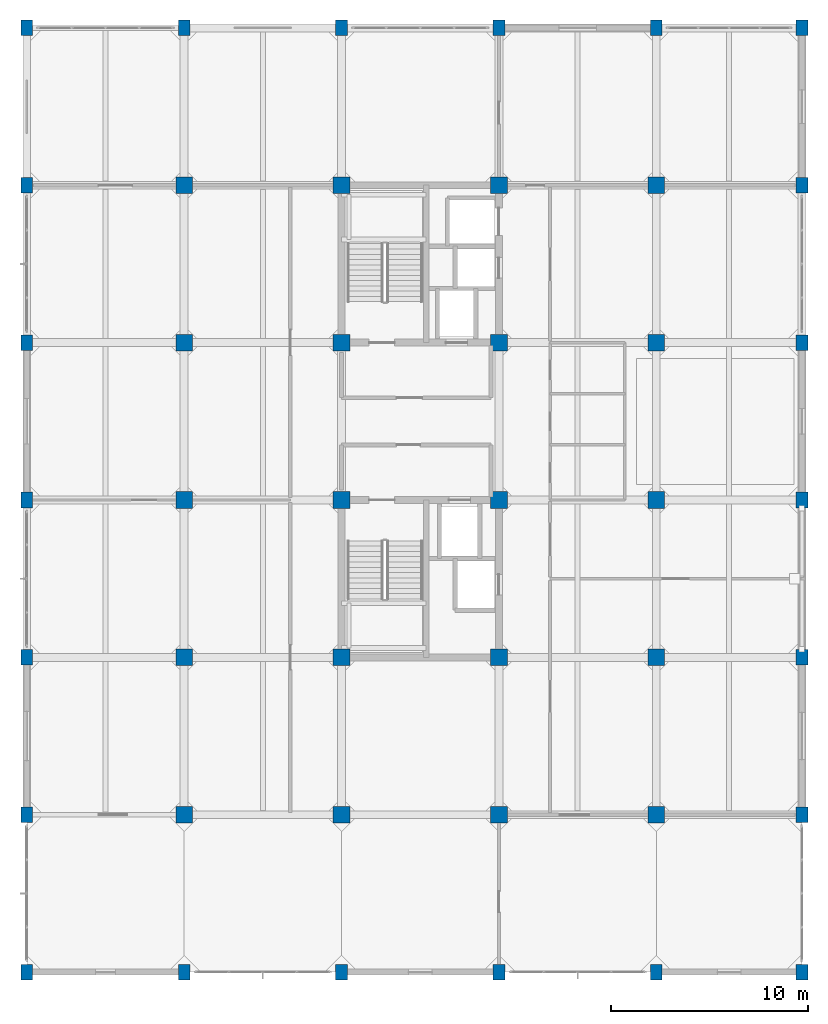
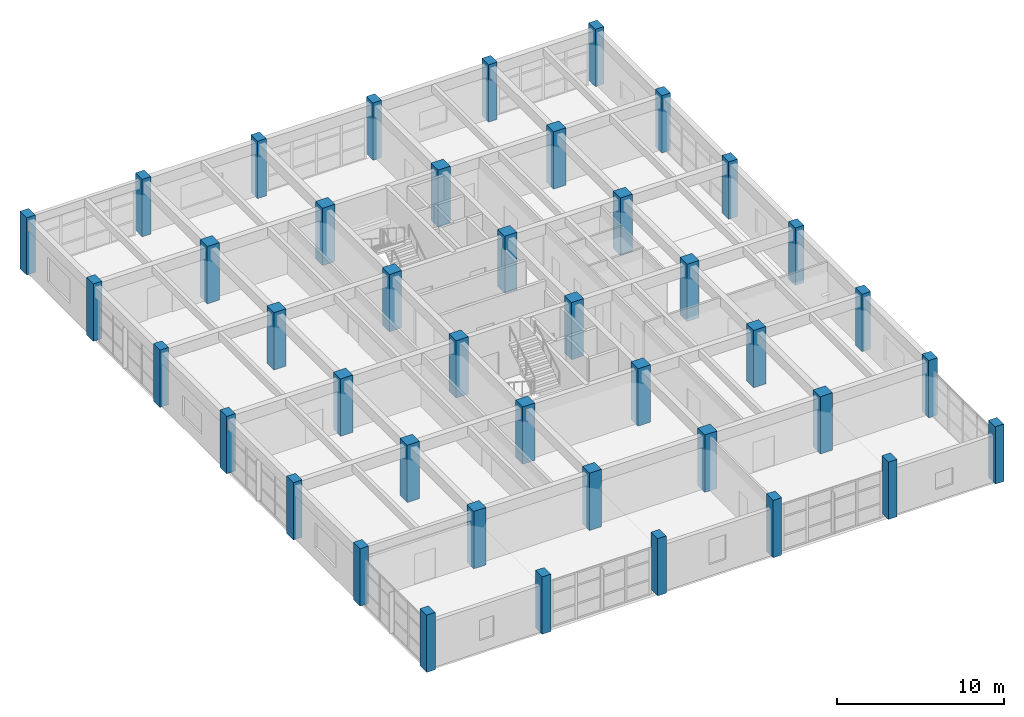
# One storey, part 1 of 27: 42 columns.
"""IFC4 building model written with IfcOpenShell, lengths in metres."""

from ifc_helpers import new_model, si_unit, direction, frame, origin, origin_2d, place, context, subcontext, project, spatial, rectangle, extrude, material, material_profile, profile_set, type_object, element, save


model = new_model("IFC4")

# Units and contexts
model_context = context("Model", 3, precision=1e-05, world=origin(), true_north=direction((0.0, 1.0)))
body_context = subcontext(model_context, "Body", "Model", "MODEL_VIEW")
ifc_project = project(units=[si_unit("LENGTHUNIT", "METRE"), si_unit("AREAUNIT", "SQUARE_METRE"), si_unit("VOLUMEUNIT", "CUBIC_METRE"), si_unit("PLANEANGLEUNIT", "RADIAN"), si_unit("MASSUNIT", "GRAM", prefix="KILO")], contexts=[model_context])

# Site, building, storey
site_placement = place(None, origin())
site = spatial("IfcSite", under=ifc_project, at=site_placement, CompositionType="ELEMENT")
building_placement = place(site_placement, origin())
building = spatial("IfcBuilding", under=site, at=building_placement, Name="Canggui Botanical Conservatory", CompositionType="ELEMENT")
storey_placement = place(building_placement, frame((0.0, 0.0, 23.39990234375)))
storey = spatial("IfcBuildingStorey", under=building, at=storey_placement, Name="L06", CompositionType="ELEMENT", Elevation=23.39990234375)

# Columns
ifc_material = material(Name="Concrete C40", Category="concrete")
ifc_material_profile_1 = material_profile(ifc_material, rectangle(XDim=0.85009765625, YDim=0.85009765625, at=origin_2d()), Name="RC 850x850")
ifc_profile_set_1 = profile_set([ifc_material_profile_1], Name="Concrete C40")
column_type_1 = type_object("IfcColumnType", Name="COL-KZ06", PredefinedType="COLUMN", material=ifc_profile_set_1)
for number, where, z_axis, x_axis, name in (
    (1, (146.0, 34.0, 0.0), (0.0, 0.0, 1.0), (1.0, 0.0, 0.0), "Tower RC Column L06 (146,34)"),
    (2, (146.0, 42.0, 0.0), (0.0, 0.0, 1.0), (1.0, 0.0, 0.0), "Tower RC Column L06 (146,42)"),
    (3, (146.0, 50.0, 0.0), (0.0, 0.0, 1.0), (1.0, 0.0, 0.0), "Tower RC Column L06 (146,50)"),
    (4, (146.0, 58.0, 0.0), (0.0, 0.0, 1.0), (1.0, 0.0, 0.0), "Tower RC Column L06 (146,58)"),
    (5, (146.0, 66.0, 0.0), (0.0, 0.0, 1.0), (1.0, 0.0, 0.0), "Tower RC Column L06 (146,66)"),
    (6, (154.0, 34.0, 0.0), (0.0, 0.0, 1.0), (1.0, 0.0, 0.0), "Tower RC Column L06 (154,34)"),
    (7, (154.0, 42.0, 0.0), (0.0, 0.0, 1.0), (1.0, 0.0, 0.0), "Tower RC Column L06 (154,42)"),
    (8, (154.0, 50.0, 0.0), (0.0, 0.0, 1.0), (1.0, 0.0, 0.0), "Tower RC Column L06 (154,50)"),
    (9, (154.0, 58.0, 0.0), (0.0, 0.0, 1.0), (1.0, 0.0, 0.0), "Tower RC Column L06 (154,58)"),
    (10, (154.0, 66.0, 0.0), (0.0, 0.0, 1.0), (1.0, 0.0, 0.0), "Tower RC Column L06 (154,66)"),
    (11, (162.0, 34.0, 0.0), (0.0, 0.0, 1.0), (1.0, 0.0, 0.0), "Tower RC Column L06 (162,34)"),
    (12, (162.0, 42.0, 0.0), (0.0, 0.0, 1.0), (1.0, 0.0, 0.0), "Tower RC Column L06 (162,42)"),
    (13, (162.0, 50.0, 0.0), (0.0, 0.0, 1.0), (1.0, 0.0, 0.0), "Tower RC Column L06 (162,50)"),
    (14, (162.0, 58.0, 0.0), (0.0, 0.0, 1.0), (1.0, 0.0, 0.0), "Tower RC Column L06 (162,58)"),
    (15, (162.0, 66.0, 0.0), (0.0, 0.0, 1.0), (1.0, 0.0, 0.0), "Tower RC Column L06 (162,66)"),
    (16, (170.0, 34.0, 0.0), (0.0, 0.0, 1.0), (1.0, 0.0, 0.0), "Tower RC Column L06 (170,34)"),
    (17, (170.0, 42.0, 0.0), (0.0, 0.0, 1.0), (1.0, 0.0, 0.0), "Tower RC Column L06 (170,42)"),
    (18, (170.0, 50.0, 0.0), (0.0, 0.0, 1.0), (1.0, 0.0, 0.0), "Tower RC Column L06 (170,50)"),
    (19, (170.0, 58.0, 0.0), (0.0, 0.0, 1.0), (1.0, 0.0, 0.0), "Tower RC Column L06 (170,58)"),
    (20, (170.0, 66.0, 0.0), (0.0, 0.0, 1.0), (1.0, 0.0, 0.0), "Tower RC Column L06 (170,66)"),
):
    element("IfcColumn", number, at=place(storey_placement, frame(where, z_axis=z_axis, x_axis=x_axis)), inside=storey, type_object=column_type_1, Name=name, PredefinedType="COLUMN", context=body_context, shape_type="SweptSolid", body=[
        extrude(rectangle(XDim=0.85009765625, YDim=0.85009765625, at=origin_2d()), origin(), (0.0, 0.0, 1.0), 4.2001953125),
    ])
ifc_material_profile_2 = material_profile(ifc_material, rectangle(XDim=0.60009765625, YDim=0.800048828125, at=origin_2d()), Name="RC 600x800")
ifc_profile_set_2 = profile_set([ifc_material_profile_2], Name="Concrete C40")
column_type_2 = type_object("IfcColumnType", Name="COL-KZ16", PredefinedType="COLUMN", material=ifc_profile_set_2)
for number, where, z_axis, x_axis, name in (
    (21, (138.0, 26.0, 0.0), (0.0, 0.0, 1.0), (1.0, 0.0, 0.0), "Tower RC Column L06 (138,26)"),
    (22, (138.0, 34.0, 0.0), (0.0, 0.0, 1.0), (1.0, 0.0, 0.0), "Tower RC Column L06 (138,34)"),
    (23, (138.0, 42.0, 0.0), (0.0, 0.0, 1.0), (1.0, 0.0, 0.0), "Tower RC Column L06 (138,42)"),
    (24, (138.0, 50.0, 0.0), (0.0, 0.0, 1.0), (1.0, 0.0, 0.0), "Tower RC Column L06 (138,50)"),
    (25, (138.0, 58.0, 0.0), (0.0, 0.0, 1.0), (1.0, 0.0, 0.0), "Tower RC Column L06 (138,58)"),
    (26, (138.0, 66.0, 0.0), (0.0, 0.0, 1.0), (1.0, 0.0, 0.0), "Tower RC Column L06 (138,66)"),
    (27, (138.0, 74.0, 0.0), (0.0, 0.0, 1.0), (1.0, 0.0, 0.0), "Tower RC Column L06 (138,74)"),
    (28, (146.0, 26.0, 0.0), (0.0, 0.0, 1.0), (1.0, 0.0, 0.0), "Tower RC Column L06 (146,26)"),
    (29, (146.0, 74.0, 0.0), (0.0, 0.0, 1.0), (1.0, 0.0, 0.0), "Tower RC Column L06 (146,74)"),
    (30, (154.0, 26.0, 0.0), (0.0, 0.0, 1.0), (1.0, 0.0, 0.0), "Tower RC Column L06 (154,26)"),
    (31, (154.0, 74.0, 0.0), (0.0, 0.0, 1.0), (1.0, 0.0, 0.0), "Tower RC Column L06 (154,74)"),
    (32, (162.0, 26.0, 0.0), (0.0, 0.0, 1.0), (1.0, 0.0, 0.0), "Tower RC Column L06 (162,26)"),
    (33, (162.0, 74.0, 0.0), (0.0, 0.0, 1.0), (1.0, 0.0, 0.0), "Tower RC Column L06 (162,74)"),
    (34, (170.0, 26.0, 0.0), (0.0, 0.0, 1.0), (1.0, 0.0, 0.0), "Tower RC Column L06 (170,26)"),
    (35, (170.0, 74.0, 0.0), (0.0, 0.0, 1.0), (1.0, 0.0, 0.0), "Tower RC Column L06 (170,74)"),
    (36, (177.39990234375, 26.0, 0.0), (0.0, 0.0, 1.0), (1.0, 0.0, 0.0), "Tower RC Column L06 (178,26)"),
    (37, (177.39990234375, 34.0, 0.0), (0.0, 0.0, 1.0), (1.0, 0.0, 0.0), "Tower RC Column L06 (178,34)"),
    (38, (177.39990234375, 42.0, 0.0), (0.0, 0.0, 1.0), (1.0, 0.0, 0.0), "Tower RC Column L06 (178,42)"),
    (39, (177.39990234375, 50.0, 0.0), (0.0, 0.0, 1.0), (1.0, 0.0, 0.0), "Tower RC Column L06 (178,50)"),
    (40, (177.39990234375, 58.0, 0.0), (0.0, 0.0, 1.0), (1.0, 0.0, 0.0), "Tower RC Column L06 (178,58)"),
    (41, (177.39990234375, 66.0, 0.0), (0.0, 0.0, 1.0), (1.0, 0.0, 0.0), "Tower RC Column L06 (178,66)"),
    (42, (177.39990234375, 74.0, 0.0), (0.0, 0.0, 1.0), (1.0, 0.0, 0.0), "Tower RC Column L06 (178,74)"),
):
    element("IfcColumn", number, at=place(storey_placement, frame(where, z_axis=z_axis, x_axis=x_axis)), inside=storey, type_object=column_type_2, Name=name, PredefinedType="COLUMN", context=body_context, shape_type="SweptSolid", body=[
        extrude(rectangle(XDim=0.60009765625, YDim=0.800048828125, at=origin_2d()), origin(), (0.0, 0.0, 1.0), 4.2001953125),
    ])

save(model, "model.ifc")
